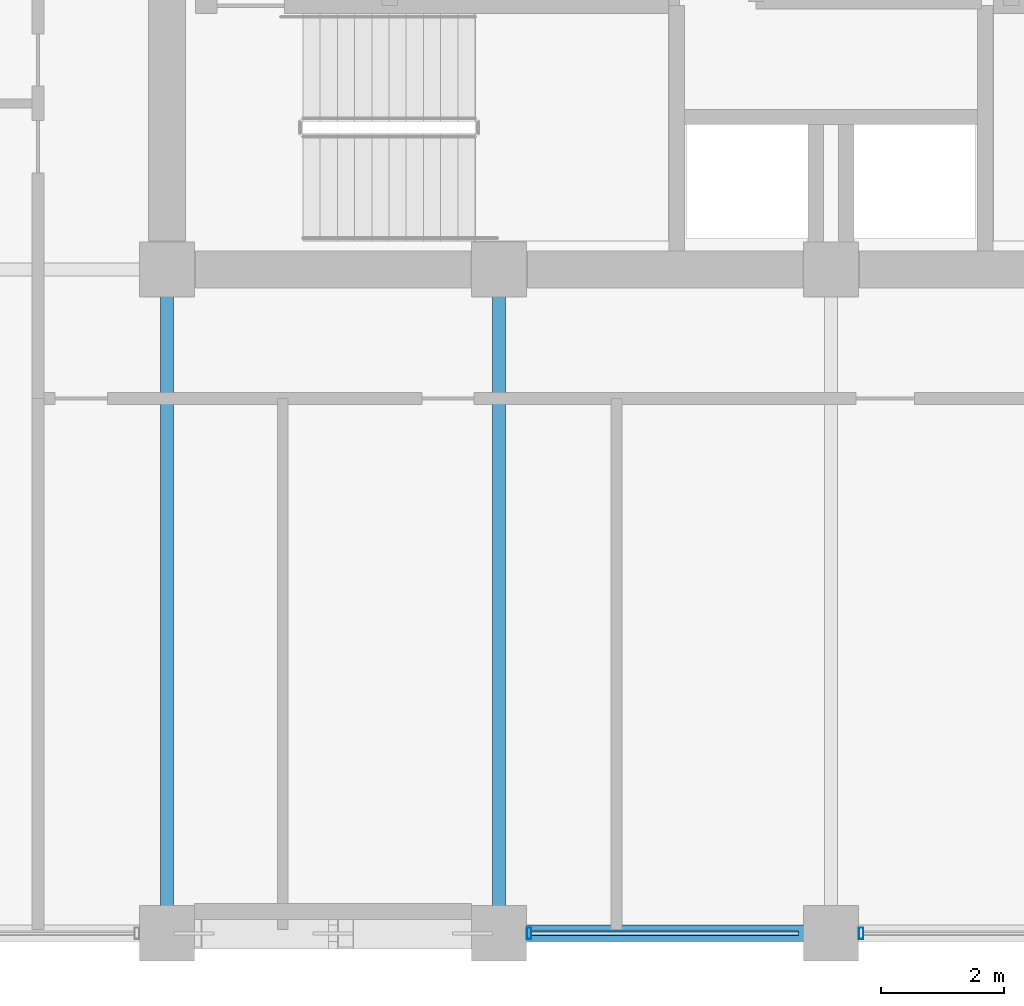
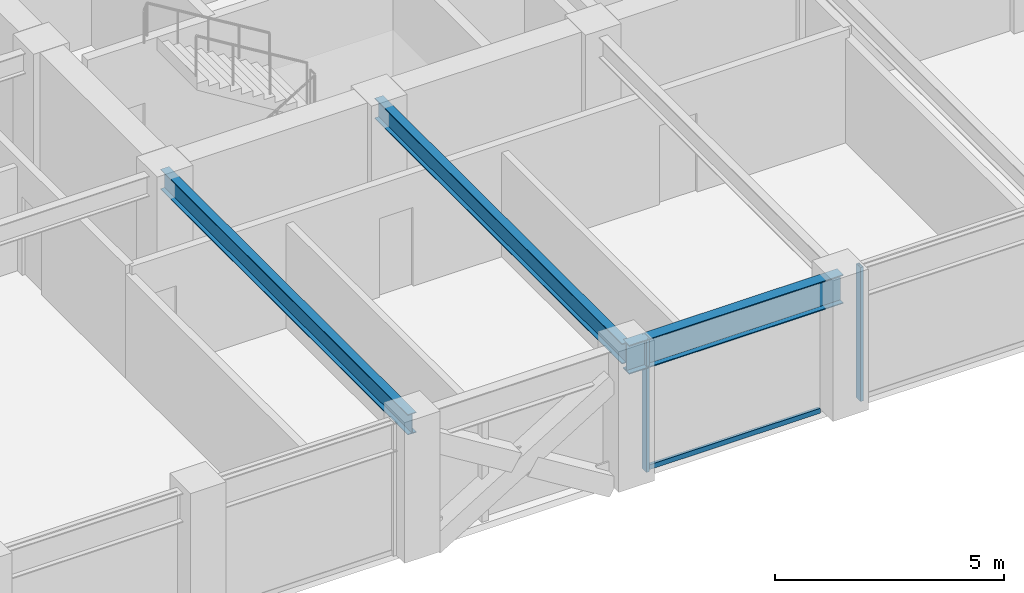
# One storey, part 6 of 32: 3 beams, 3 members, 1 element without a shape of its own.
"""IFC4 building model written with IfcOpenShell, lengths in metres."""

from ifc_helpers import new_model, si_unit, direction, frame, origin, origin_2d, place, context, subcontext, project, spatial, hollow_rectangle, i_section, extrude, material, layer, layer_set, material_profile, profile_set, type_object, element, aggregate, save


model = new_model("IFC4")

# Units and contexts
model_context = context("Model", 3, precision=1e-05, world=origin(), true_north=direction((0.0, 1.0)))
body_context = subcontext(model_context, "Body", "Model", "MODEL_VIEW")
ifc_project = project(units=[si_unit("LENGTHUNIT", "METRE"), si_unit("AREAUNIT", "SQUARE_METRE"), si_unit("VOLUMEUNIT", "CUBIC_METRE"), si_unit("PLANEANGLEUNIT", "RADIAN"), si_unit("MASSUNIT", "GRAM", prefix="KILO")], contexts=[model_context])

# Site, building, storey
site_placement = place(None, origin())
site = spatial("IfcSite", under=ifc_project, at=site_placement, CompositionType="ELEMENT")
building_placement = place(site_placement, origin())
building = spatial("IfcBuilding", under=site, at=building_placement, Name="Surkhivell Harbour Commons", CompositionType="ELEMENT")
storey_placement = place(building_placement, frame((0.0, 0.0, 204.75)))
storey = spatial("IfcBuildingStorey", under=building, at=storey_placement, Name="L53", CompositionType="ELEMENT", Elevation=204.75)

# Beams
ifc_material_1 = material(Name="Steel S355", Category="steel")
ifc_material_profile_1 = material_profile(ifc_material_1, i_section(OverallWidth=0.2119140625, OverallDepth=0.5439453125, WebThickness=0.0126953125, FlangeThickness=0.021240234375, at=origin_2d()), Name="UB533x210x122")
ifc_profile_set_1 = profile_set([ifc_material_profile_1], Name="Steel S355")
beam_type_1 = type_object("IfcBeamType", Name="BM-GRD-533A", PredefinedType="BEAM", material=ifc_profile_set_1)
for number, where, z_axis, x_axis, name in (
    (1, (-10.800048828125, -21.60009765625, 3.298095703125), (0.0, 1.0, 0.0), (-1.0, 0.0, 0.0), "L53 Floor Girder (-10.8,-21.6)"),
    (2, (-5.39990234375, -21.60009765625, 3.298095703125), (0.0, 1.0, 0.0), (-1.0, 0.0, 0.0), "L53 Floor Girder (-5.4,-21.6)"),
):
    element("IfcBeam", number, at=place(storey_placement, frame(where, z_axis=z_axis, x_axis=x_axis)), inside=storey, type_object=beam_type_1, Name=name, PredefinedType="BEAM", context=body_context, shape_type="SweptSolid", body=[
        extrude(i_section(OverallWidth=0.2119140625, OverallDepth=0.5439453125, WebThickness=0.0126953125, FlangeThickness=0.021240234375, at=origin_2d()), origin(), (0.0, 0.0, 1.0), 10.800048828125),
    ])
ifc_material_profile_2 = material_profile(ifc_material_1, i_section(OverallWidth=0.26806640625, OverallDepth=0.77001953125, WebThickness=0.015625, FlangeThickness=0.025390625, at=origin_2d()), Name="UB762x267x197")
ifc_profile_set_2 = profile_set([ifc_material_profile_2], Name="Steel S355")
beam_type_2 = type_object("IfcBeamType", Name="BM-SPN-762", PredefinedType="SPANDREL", material=ifc_profile_set_2)
beam_placement = place(storey_placement, frame((-5.39990234375, -21.60009765625, 3.18505859375), z_axis=(1.0, 0.0, 0.0), x_axis=(0.0, 1.0, 0.0)))
element("IfcBeam", 3, at=beam_placement, inside=storey, type_object=beam_type_2, Name="L53 Tube Spandrel (-5.4,-21.6)", PredefinedType="SPANDREL", context=body_context, shape_type="SweptSolid", body=[
    extrude(i_section(OverallWidth=0.26806640625, OverallDepth=0.77001953125, WebThickness=0.015625, FlangeThickness=0.025390625, at=origin_2d()), origin(), (0.0, 0.0, 1.0), 5.39990234375),
])

# Curtain wall, members
ifc_material_2 = material(Name="Anodised pale-metal aluminium and insulated glazing", Category="aluminium")
ifc_layer = layer(ifc_material_2, 0.18994140625)
ifc_layer_set = layer_set([ifc_layer], Name="Anodised pale-metal aluminium and insulated glazing")
curtain_wall_type = type_object("IfcCurtainWallType", Name="CW-SYS-Z3", PredefinedType="NOTDEFINED", material=ifc_layer_set)
curtain_wall_placement = place(storey_placement, origin())
curtain_wall = element("IfcCurtainWall", 4, at=curtain_wall_placement, inside=storey, type_object=curtain_wall_type, Name="L53 Curtain Wall CW-L53-E00S2", PredefinedType="NOTDEFINED")
ifc_material_3 = material(Name="Anodised pale-metal aluminium alloy 6063-T6", Category="aluminium")
ifc_material_profile_3 = material_profile(ifc_material_3, hollow_rectangle(XDim=0.074951171875, YDim=0.18994140625, WallThickness=0.00390625, at=origin_2d()), Name="ALU-MULL-75x190")
ifc_profile_set_3 = profile_set([ifc_material_profile_3], Name="Anodised pale-metal aluminium alloy 6063-T6")
member_type_1 = type_object("IfcMemberType", Name="CWM-190", PredefinedType="MULLION", material=ifc_profile_set_3)
member_1_placement = place(storey_placement, frame((-4.910400390625, -21.60009765625, 0.0), z_axis=(0.0, 0.0, 1.0), x_axis=(1.0, 0.0, 0.0)))
member_1 = element("IfcMember", 5, at=member_1_placement, type_object=member_type_1, Name="CW-Z3 mullion 1", PredefinedType="MULLION", context=body_context, shape_type="SweptSolid", body=[
    extrude(hollow_rectangle(XDim=0.074951171875, YDim=0.18994140625, WallThickness=0.00390625, at=origin_2d()), origin(), (0.0, 0.0, 1.0), 3.570068359375),
])
member_2_placement = place(storey_placement, frame((0.489501953125, -21.60009765625, 0.0), z_axis=(0.0, 0.0, 1.0), x_axis=(1.0, 0.0, 0.0)))
member_2 = element("IfcMember", 6, at=member_2_placement, type_object=member_type_1, Name="CW-Z3 mullion 2", PredefinedType="MULLION", context=body_context, shape_type="SweptSolid", body=[
    extrude(hollow_rectangle(XDim=0.074951171875, YDim=0.18994140625, WallThickness=0.00390625, at=origin_2d()), origin(), (0.0, 0.0, 1.0), 3.570068359375),
])
ifc_material_4 = material(Name="Champagne anodised aluminium alloy 6063-T6", Category="aluminium")
ifc_material_profile_4 = material_profile(ifc_material_4, hollow_rectangle(XDim=0.070068359375, YDim=0.1298828125, WallThickness=0.00341796875, at=origin_2d()), Name="ALU-TRAN-70x130")
ifc_profile_set_4 = profile_set([ifc_material_profile_4], Name="Champagne anodised aluminium alloy 6063-T6")
member_type_2 = type_object("IfcMemberType", Name="CWT-130", PredefinedType="USERDEFINED", material=ifc_profile_set_4)
member_3_placement = place(storey_placement, frame((-4.873046875, -21.60009765625, 0.06494140625), z_axis=(1.0, 0.0, 0.0), x_axis=(0.0, 1.0, 0.0)))
member_3 = element("IfcMember", 7, at=member_3_placement, type_object=member_type_2, Name="CW-Z3 transom 1.1", ObjectType="TRANSOM", PredefinedType="USERDEFINED", context=body_context, shape_type="SweptSolid", body=[
    extrude(hollow_rectangle(XDim=0.070068359375, YDim=0.1298828125, WallThickness=0.00341796875, at=origin_2d()), origin(), (0.0, 0.0, 1.0), 4.345947265625),
])
aggregate(curtain_wall, [member_1, member_3, member_2])

save(model, "model.ifc")
